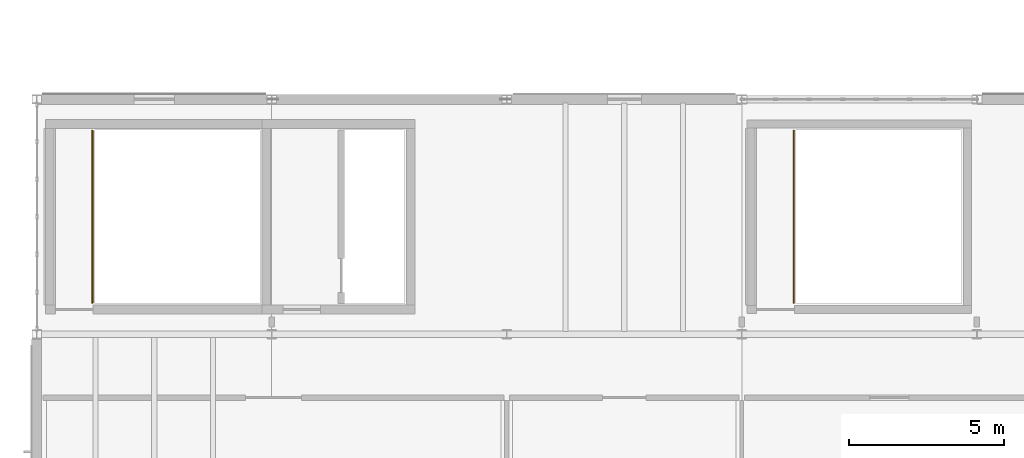
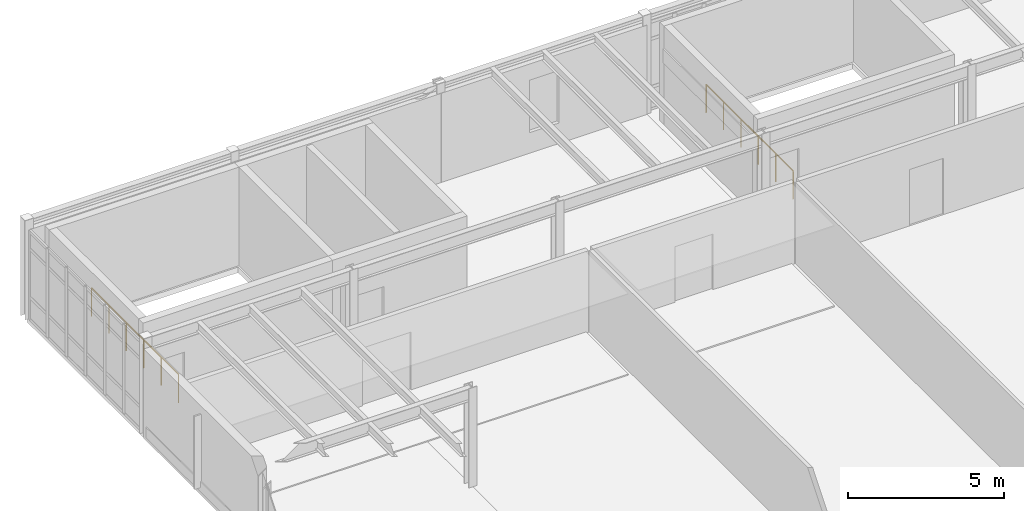
# One storey, part 107 of 114: 2 railings.
"""IFC4 building model written with IfcOpenShell, lengths in metres."""

from ifc_helpers import new_model, si_unit, direction, frame, origin, origin_2d, place, context, subcontext, project, spatial, circle, extrude, material, type_object, element, save


model = new_model("IFC4")

# Units and contexts
model_context = context("Model", 3, precision=1e-05, world=origin(), true_north=direction((0.0, 1.0)))
body_context = subcontext(model_context, "Body", "Model", "MODEL_VIEW")
ifc_project = project(units=[si_unit("LENGTHUNIT", "METRE"), si_unit("AREAUNIT", "SQUARE_METRE"), si_unit("VOLUMEUNIT", "CUBIC_METRE"), si_unit("PLANEANGLEUNIT", "RADIAN"), si_unit("MASSUNIT", "GRAM", prefix="KILO")], contexts=[model_context])

# Site, building, storey
site_placement = place(None, origin())
site = spatial("IfcSite", under=ifc_project, at=site_placement, CompositionType="ELEMENT")
building_placement = place(site_placement, origin())
building = spatial("IfcBuilding", under=site, at=building_placement, Name="Montecoro Central Library", CompositionType="ELEMENT")
storey_placement = place(building_placement, frame((0.0, 0.0, 13.260009765625)))
storey = spatial("IfcBuildingStorey", under=building, at=storey_placement, Name="L03", CompositionType="ELEMENT", Elevation=13.260009765625)

# Railings
ifc_material = material(Name="Brushed stainless steel and bronze balustrade", Category="steel")
railing_type = type_object("IfcRailingType", Name="GRD-INT-110", PredefinedType="GUARDRAIL", material=ifc_material)
for number, where, name in (
    (1, (6.800048828125, 104.820068359375, 0.0), "C5-L03-ELND-GRD"),
    (2, (29.47998046875, 104.820068359375, 0.0), "C9-L03-ELND-GRD"),
):
    element("IfcRailing", number, at=place(storey_placement, frame(where)), inside=storey, type_object=railing_type, Name=name, PredefinedType="GUARDRAIL", context=body_context, shape_type="SweptSolid", body=[
        extrude(circle(Radius=0.02392578125, at=origin_2d()), frame((0.0, 0.0, 1.09619140625), z_axis=(0.0, 1.0, 0.0), x_axis=(-1.0, 0.0, 0.0)), (0.0, 0.0, 1.0), 5.559814453125),
        extrude(circle(Radius=0.02099609375, at=origin_2d()), origin(), (0.0, 0.0, 1.0), 1.072021484375),
        extrude(circle(Radius=0.02099609375, at=origin_2d()), frame((0.0, 1.112060546875, 0.0)), (0.0, 0.0, 1.0), 1.072021484375),
        extrude(circle(Radius=0.02099609375, at=origin_2d()), frame((0.0, 2.223876953125, 0.0)), (0.0, 0.0, 1.0), 1.072021484375),
        extrude(circle(Radius=0.02099609375, at=origin_2d()), frame((0.0, 3.3359375, 0.0)), (0.0, 0.0, 1.0), 1.072021484375),
        extrude(circle(Radius=0.02099609375, at=origin_2d()), frame((0.0, 4.44775390625, 0.0)), (0.0, 0.0, 1.0), 1.072021484375),
        extrude(circle(Radius=0.02099609375, at=origin_2d()), frame((0.0, 5.559814453125, 0.0)), (0.0, 0.0, 1.0), 1.072021484375),
    ])

save(model, "model.ifc")
